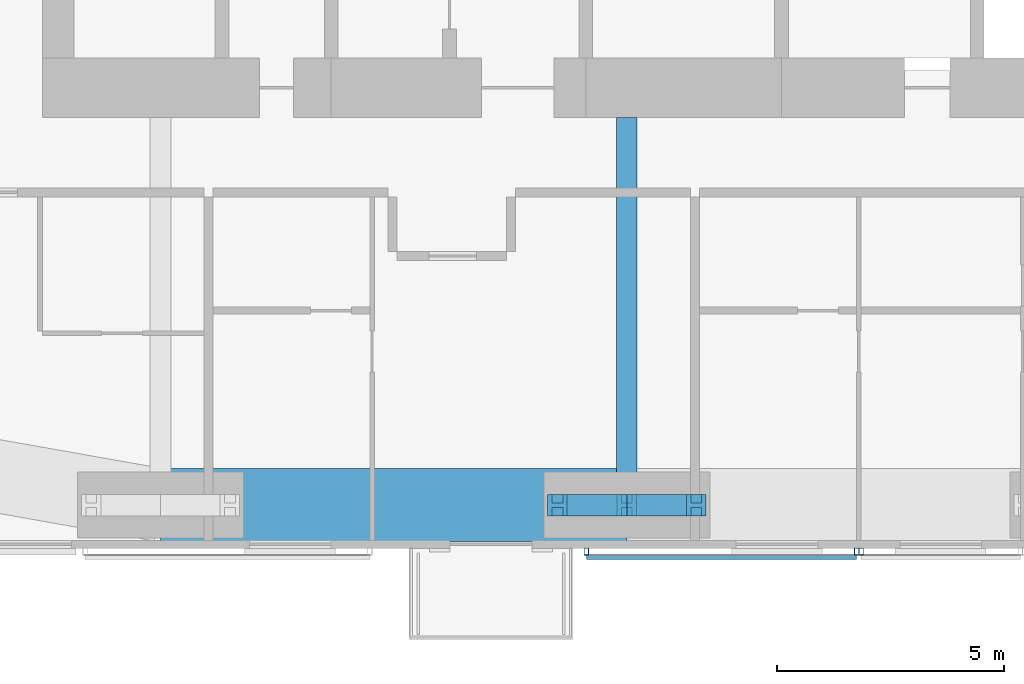
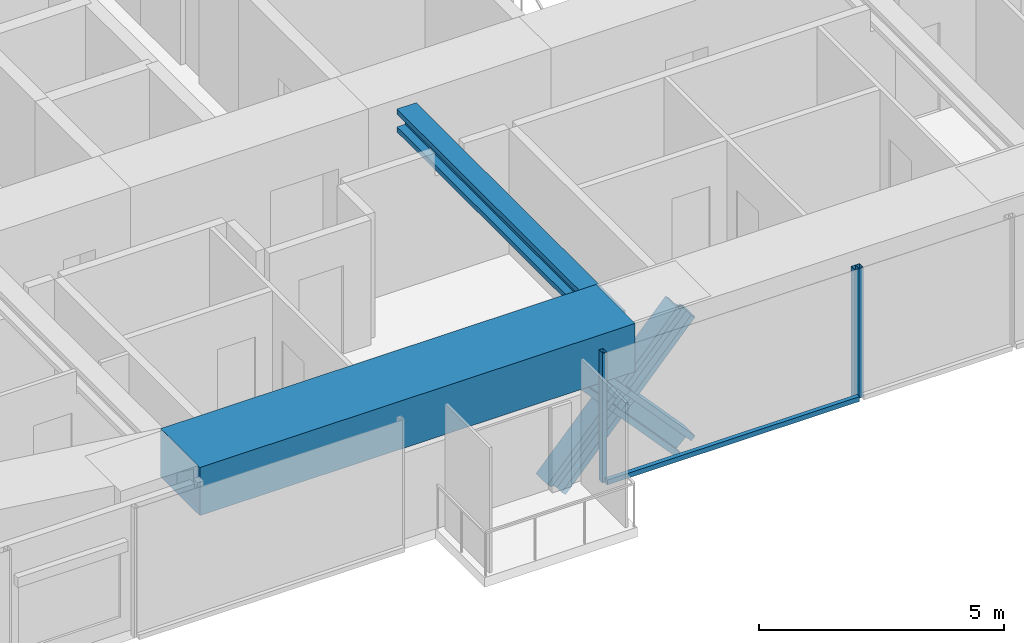
# One storey, part 4 of 23: 8 members, 2 beams, 2 elements without a shape of their own.
"""IFC4 building model written with IfcOpenShell, lengths in metres."""

from ifc_helpers import new_model, si_unit, direction, frame, origin, origin_2d, place, context, subcontext, project, spatial, rectangle, hollow_rectangle, i_section, extrude, material, material_profile, profile_set, type_object, element, aggregate, save


model = new_model("IFC4")

# Units and contexts
model_context = context("Model", 3, precision=1e-05, world=origin(), true_north=direction((0.0, 1.0)))
body_context = subcontext(model_context, "Body", "Model", "MODEL_VIEW")
ifc_project = project(units=[si_unit("LENGTHUNIT", "METRE"), si_unit("AREAUNIT", "SQUARE_METRE"), si_unit("VOLUMEUNIT", "CUBIC_METRE"), si_unit("PLANEANGLEUNIT", "RADIAN"), si_unit("MASSUNIT", "GRAM", prefix="KILO")], contexts=[model_context])

# Site, building, storey
site_placement = place(None, origin())
site = spatial("IfcSite", under=ifc_project, at=site_placement, CompositionType="ELEMENT")
building_placement = place(site_placement, origin())
building = spatial("IfcBuilding", under=site, at=building_placement, Name="Jalousie Tower", CompositionType="ELEMENT")
storey_placement = place(building_placement, frame((0.0, 0.0, 184.5)))
storey = spatial("IfcBuildingStorey", under=building, at=storey_placement, Name="L50", CompositionType="ELEMENT", Elevation=184.5)

# Beam
ifc_material_1 = material(Name="Steel ASTM A992 Grade 50", Category="steel")
ifc_material_profile_1 = material_profile(ifc_material_1, i_section(OverallWidth=0.45458984375, OverallDepth=0.569091796875, WebThickness=0.077880859375, FlangeThickness=0.124755859375, at=origin_2d()), Name="W14X730")
ifc_profile_set_1 = profile_set([ifc_material_profile_1], Name="Steel ASTM A992 Grade 50")
beam_type_1 = type_object("IfcBeamType", Name="LEAN COLLECTOR W14X730", PredefinedType="BEAM", material=ifc_profile_set_1)
beam_1_placement = place(storey_placement, frame((32.5, 0.949951171875, 2.825439453125), z_axis=(0.0, 1.0, 0.0), x_axis=(-1.0, 0.0, 0.0)))
element("IfcBeam", 1, at=beam_1_placement, inside=storey, type_object=beam_type_1, Name="Lean collector under L51", PredefinedType="BEAM", context=body_context, shape_type="SweptSolid", body=[
    extrude(i_section(OverallWidth=0.45458984375, OverallDepth=0.569091796875, WebThickness=0.077880859375, FlangeThickness=0.124755859375, at=origin_2d()), origin(), (0.0, 0.0, 1.0), 8.525146484375),
])

# Members
ifc_material_2 = material(Name="Steel ASTM A992 Grade 50", Category="steel")
ifc_material_profile_2 = material_profile(ifc_material_2, i_section(OverallWidth=0.472412109375, OverallDepth=0.5791015625, WebThickness=0.094970703125, FlangeThickness=0.1298828125, at=origin_2d()), Name="W14X808")
ifc_profile_set_2 = profile_set([ifc_material_profile_2], Name="Steel ASTM A992 Grade 50")
member_type_1 = type_object("IfcMemberType", Name="PERIMETER BRACE W14X808", PredefinedType="BRACE", material=ifc_profile_set_2)
for number, where, z_axis, x_axis, name in (
    (2, (30.97509765625, 0.949951171875, -0.60009765625), (0.673187629365, 0.0, 0.739471713908), (0.0, 1.0, 0.0), "Perimeter brace 03 L50 part 1"),
    (3, (32.5, 0.949951171875, 1.074951171875), (0.673187629365, 0.0, 0.739471713908), (0.0, 1.0, 0.0), "Perimeter brace 03 L50 part 2"),
    (4, (34.02490234375, 0.949951171875, -0.60009765625), (-0.673187629365, 0.0, 0.739471713908), (0.0, -1.0, 0.0), "Perimeter brace 03 L50 part 3"),
    (5, (32.5, 0.949951171875, 1.074951171875), (-0.673187629365, 0.0, 0.739471713908), (0.0, -1.0, 0.0), "Perimeter brace 03 L50 part 4"),
):
    element("IfcMember", number, at=place(storey_placement, frame(where, z_axis=z_axis, x_axis=x_axis)), inside=storey, type_object=member_type_1, Name=name, PredefinedType="BRACE", context=body_context, shape_type="SweptSolid", body=[
        extrude(i_section(OverallWidth=0.472412109375, OverallDepth=0.5791015625, WebThickness=0.094970703125, FlangeThickness=0.1298828125, at=origin_2d()), origin(), (0.0, 0.0, 1.0), 2.26513671875),
    ])

# Beam
ifc_material_3 = material(Name="Concrete f'c 40 MPa", Category="concrete")
ifc_material_profile_3 = material_profile(ifc_material_3, rectangle(XDim=1.60009765625, YDim=1.199951171875, at=origin_2d()), Name="RC 1600x1200")
ifc_profile_set_3 = profile_set([ifc_material_profile_3], Name="Concrete f'c 40 MPa")
beam_type_2 = type_object("IfcBeamType", Name="RC BEAM 1600x1200", PredefinedType="BEAM", material=ifc_profile_set_3)
beam_2_placement = place(storey_placement, frame((22.25, 0.949951171875, 2.75), z_axis=(1.0, 0.0, 0.0), x_axis=(0.0, 1.0, 0.0)))
element("IfcBeam", 6, at=beam_2_placement, inside=storey, type_object=beam_type_2, Name="Edge band beam 02-03 under L51", PredefinedType="BEAM", context=body_context, shape_type="SweptSolid", body=[
    extrude(rectangle(XDim=1.60009765625, YDim=1.199951171875, at=origin_2d()), origin(), (0.0, 0.0, 1.0), 10.25),
])

# Curtain wall, members
ifc_material_4 = material(Name="Perforated aluminium sheet", Category="aluminium")
curtain_wall_type = type_object("IfcCurtainWallType", Name="SOLAR SCREEN SS-1", PredefinedType="USERDEFINED", material=ifc_material_4)
curtain_wall_1_placement = place(storey_placement, origin())
curtain_wall_1 = element("IfcCurtainWall", 7, at=curtain_wall_1_placement, inside=storey, type_object=curtain_wall_type, Name="Solar screen L50", ObjectType="SOLAR SCREEN SS-1", PredefinedType="USERDEFINED")
ifc_material_5 = material(Name="Steel ASTM A500 Grade C", Category="steel")
ifc_material_profile_4 = material_profile(ifc_material_5, hollow_rectangle(XDim=0.1015625, YDim=0.15234375, WallThickness=0.00634765625, at=origin_2d()), Name="HSS6X4X1/4")
ifc_profile_set_4 = profile_set([ifc_material_profile_4], Name="Steel ASTM A500 Grade C")
member_type_2 = type_object("IfcMemberType", Name="SOLAR SCREEN SS-1 MULLION", PredefinedType="MULLION", material=ifc_profile_set_4)
member_1_placement = place(storey_placement, frame((31.612548828125, -0.0712890625, -0.1201171875), z_axis=(0.0, 0.0, 1.0), x_axis=(1.0, 0.0, 0.0)))
member_1 = element("IfcMember", 8, at=member_1_placement, type_object=member_type_2, Name="SS1 post 1", PredefinedType="MULLION", context=body_context, shape_type="SweptSolid", body=[
    extrude(hollow_rectangle(XDim=0.1015625, YDim=0.15234375, WallThickness=0.00634765625, at=origin_2d()), origin(), (0.0, 0.0, 1.0), 3.230224609375),
])
member_2_placement = place(storey_placement, frame((37.550048828125, -0.0712890625, -0.1201171875), z_axis=(0.0, 0.0, 1.0), x_axis=(1.0, 0.0, 0.0)))
member_2 = element("IfcMember", 9, at=member_2_placement, type_object=member_type_2, Name="SS1 post 2", PredefinedType="MULLION", context=body_context, shape_type="SweptSolid", body=[
    extrude(hollow_rectangle(XDim=0.1015625, YDim=0.15234375, WallThickness=0.00634765625, at=origin_2d()), origin(), (0.0, 0.0, 1.0), 3.230224609375),
])

# Curtain wall, member
curtain_wall_2_placement = place(storey_placement, origin())
curtain_wall_2 = element("IfcCurtainWall", 10, at=curtain_wall_2_placement, inside=storey, type_object=curtain_wall_type, Name="Solar screen L50", ObjectType="SOLAR SCREEN SS-1", PredefinedType="USERDEFINED")
member_3_placement = place(storey_placement, frame((37.64990234375, -0.0712890625, -0.1201171875), z_axis=(0.0, 0.0, 1.0), x_axis=(1.0, 0.0, 0.0)))
member_3 = element("IfcMember", 11, at=member_3_placement, type_object=member_type_2, Name="SS1 post 1", PredefinedType="MULLION", context=body_context, shape_type="SweptSolid", body=[
    extrude(hollow_rectangle(XDim=0.1015625, YDim=0.15234375, WallThickness=0.00634765625, at=origin_2d()), origin(), (0.0, 0.0, 1.0), 3.230224609375),
])
aggregate(curtain_wall_2, [member_3])

# Member
ifc_material_6 = material(Name="Extruded aluminium screen rail", Category="aluminium")
ifc_material_profile_5 = material_profile(ifc_material_6, rectangle(XDim=0.1015625, YDim=0.1201171875, at=origin_2d()), Name="RAIL 102x120")
ifc_profile_set_5 = profile_set([ifc_material_profile_5], Name="Extruded aluminium screen rail")
member_type_3 = type_object("IfcMemberType", Name="SOLAR SCREEN SS-1 TRANSOM", PredefinedType="USERDEFINED", material=ifc_profile_set_5)
member_4_placement = place(storey_placement, frame((31.612548828125, -0.1982421875, -0.06005859375), z_axis=(1.0, 0.0, 0.0), x_axis=(0.0, 1.0, 0.0)))
member_4 = element("IfcMember", 12, at=member_4_placement, type_object=member_type_3, Name="SS1 rail", ObjectType="TRANSOM", PredefinedType="USERDEFINED", context=body_context, shape_type="SweptSolid", body=[
    extrude(rectangle(XDim=0.1015625, YDim=0.1201171875, at=origin_2d()), origin(), (0.0, 0.0, 1.0), 5.9375),
])

aggregate(curtain_wall_1, [member_1, member_2, member_4])

save(model, "model.ifc")
